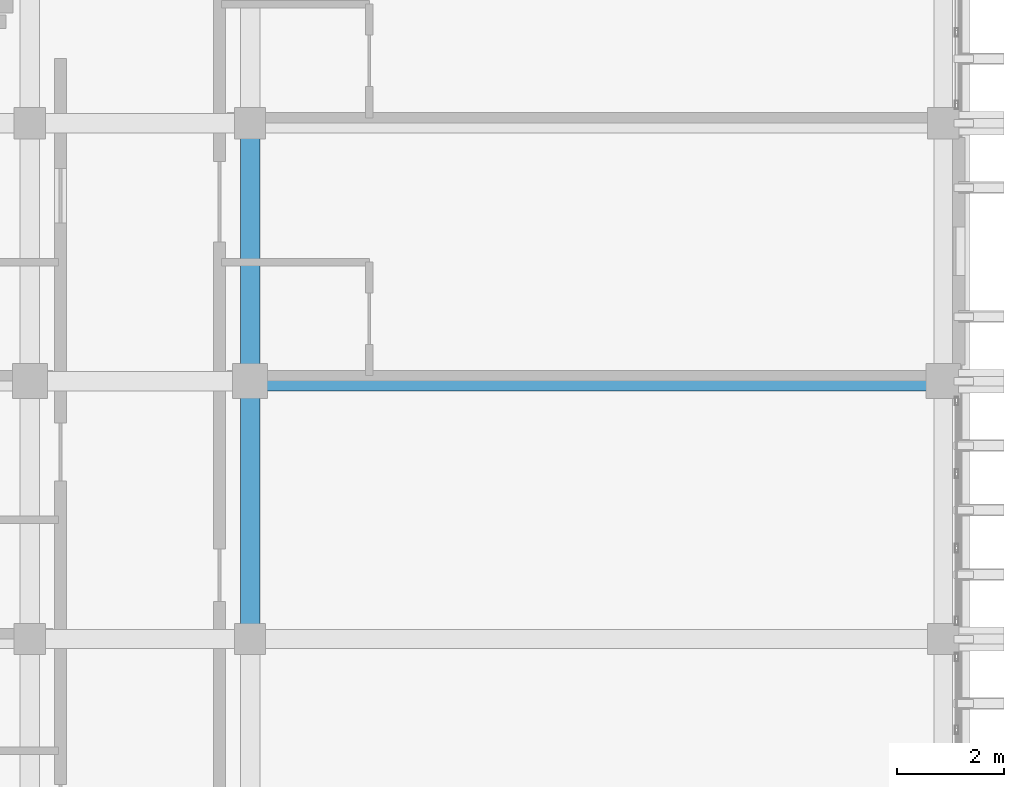
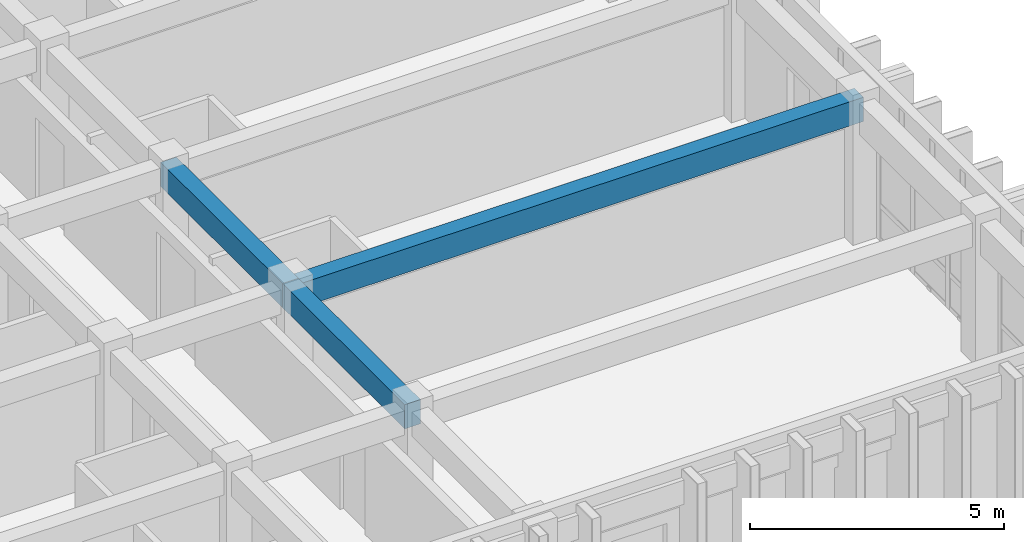
# One storey, part 7 of 49: 3 beams.
"""IFC4 building model written with IfcOpenShell, lengths in metres."""

from ifc_helpers import new_model, si_unit, direction, frame, origin, origin_2d, place, context, subcontext, project, spatial, rectangle, extrude, material, material_profile, profile_set, type_object, element, save


model = new_model("IFC4")

# Units and contexts
model_context = context("Model", 3, precision=1e-05, world=origin(), true_north=direction((0.0, 1.0)))
body_context = subcontext(model_context, "Body", "Model", "MODEL_VIEW")
ifc_project = project(units=[si_unit("LENGTHUNIT", "METRE"), si_unit("AREAUNIT", "SQUARE_METRE"), si_unit("VOLUMEUNIT", "CUBIC_METRE"), si_unit("PLANEANGLEUNIT", "RADIAN"), si_unit("MASSUNIT", "GRAM", prefix="KILO")], contexts=[model_context])

# Site, building, storey
site_placement = place(None, origin())
site = spatial("IfcSite", under=ifc_project, at=site_placement, CompositionType="ELEMENT")
building_placement = place(site_placement, origin())
building = spatial("IfcBuilding", under=site, at=building_placement, Name="Nakhvara Creek Congress Hotel", CompositionType="ELEMENT")
storey_placement = place(building_placement, frame((0.0, 0.0, 39.0)))
storey = spatial("IfcBuildingStorey", under=building, at=storey_placement, Name="L09", CompositionType="ELEMENT", Elevation=39.0)

# Beams
ifc_material = material(Name="Concrete C40/50", Category="concrete")
ifc_material_profile = material_profile(ifc_material, rectangle(XDim=0.360107421875, YDim=0.580078125, at=origin_2d()), Name="RC-BM 360x580", Category="LoadBearing")
ifc_profile_set = profile_set([ifc_material_profile], Name="Concrete C40/50")
beam_type = type_object("IfcBeamType", Name="BM-RC-360X580", PredefinedType="BEAM", material=ifc_profile_set)
beam_placement = place(storey_placement, frame((166.449951171875, 67.199951171875, 3.070068359375), z_axis=(1.0, 0.0, 0.0), x_axis=(0.0, 1.0, 0.0)))
element("IfcBeam", 1, at=beam_placement, inside=storey, type_object=beam_type, Name="Beam B09-L09-2577", PredefinedType="BEAM", context=body_context, shape_type="SweptSolid", body=[
    extrude(rectangle(XDim=0.360107421875, YDim=0.580078125, at=origin_2d()), origin(), (0.0, 0.0, 1.0), 12.900146484375),
])
for number, where, z_axis, x_axis, name in (
    (2, (166.449951171875, 62.39990234375, 3.070068359375), (0.0, 1.0, 0.0), (-1.0, 0.0, 0.0), "Beam B09-L09-2578"),
    (3, (166.449951171875, 67.199951171875, 3.070068359375), (0.0, 1.0, 0.0), (-1.0, 0.0, 0.0), "Beam B09-L09-2579"),
):
    element("IfcBeam", number, at=place(storey_placement, frame(where, z_axis=z_axis, x_axis=x_axis)), inside=storey, type_object=beam_type, Name=name, PredefinedType="BEAM", context=body_context, shape_type="SweptSolid", body=[
        extrude(rectangle(XDim=0.360107421875, YDim=0.580078125, at=origin_2d()), origin(), (0.0, 0.0, 1.0), 4.800048828125),
    ])

save(model, "model.ifc")
